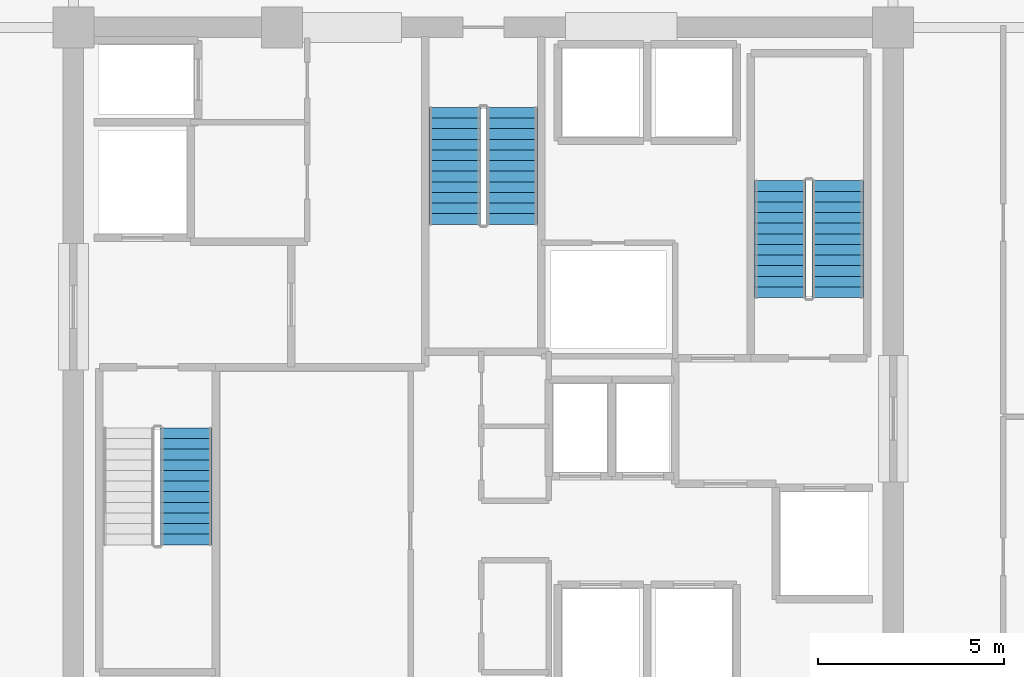
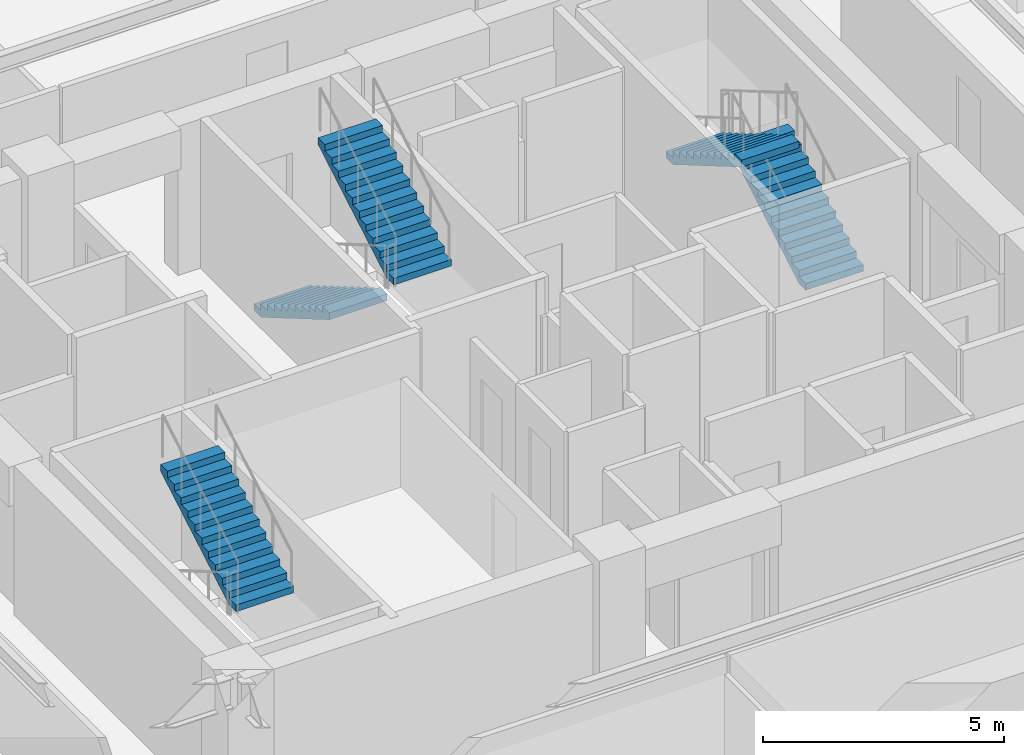
# One storey, part 16 of 21: 5 stair flights, 3 elements without a shape of their own.
"""IFC4 building model written with IfcOpenShell, lengths in metres."""

from ifc_helpers import new_model, si_unit, direction, frame, origin, place, context, subcontext, project, spatial, polyline, outline, extrude, material, type_object, element, aggregate, save


model = new_model("IFC4")

# Units and contexts
model_context = context("Model", 3, precision=1e-05, world=origin(), true_north=direction((0.0, 1.0)))
body_context = subcontext(model_context, "Body", "Model", "MODEL_VIEW")
ifc_project = project(units=[si_unit("LENGTHUNIT", "METRE"), si_unit("AREAUNIT", "SQUARE_METRE"), si_unit("VOLUMEUNIT", "CUBIC_METRE"), si_unit("PLANEANGLEUNIT", "RADIAN"), si_unit("MASSUNIT", "GRAM", prefix="KILO")], contexts=[model_context])

# Site, building, storey
site_placement = place(None, origin())
site = spatial("IfcSite", under=ifc_project, at=site_placement, CompositionType="ELEMENT")
building_placement = place(site_placement, origin())
building = spatial("IfcBuilding", under=site, at=building_placement, Name="Kovane Verandah Tower", CompositionType="ELEMENT")
storey_placement = place(building_placement, frame((0.0, 0.0, 176.39990234375)))
storey = spatial("IfcBuildingStorey", under=building, at=storey_placement, Name="L41", CompositionType="ELEMENT", Elevation=176.39990234375)

# Stair, stair flight
ifc_material = material(Name="Concrete C45/55", Category="concrete")
stair_type = type_object("IfcStairType", Name="ST-CORE-1380", PredefinedType="HALF_TURN_STAIR", material=ifc_material)
stair_1_placement = place(storey_placement, origin())
stair_1 = element("IfcStair", 1, at=stair_1_placement, inside=storey, type_object=stair_type, Name="L41 Exit Stair ST-01", PredefinedType="HALF_TURN_STAIR")
stair_flight_type = type_object("IfcStairFlightType", Name="STF-CORE-1380", PredefinedType="STRAIGHT", material=ifc_material)
stair_flight_1_placement = place(storey_placement, frame((32.030029296875, 22.614990234375, 2.0), z_axis=(0.0, 0.0, 1.0), x_axis=(0.0, 1.0, 0.0)))
stair_flight_1 = element("IfcStairFlight", 2, at=stair_flight_1_placement, type_object=stair_flight_type, Name="ST-01 flight 2", NumberOfRisers=12, NumberOfTreads=11, PredefinedType="STRAIGHT", RiserHeight=0.166666667, TreadLength=0.285, context=body_context, shape_type="SweptSolid", body=[
    extrude(outline(polyline([(0.0, 0.0), (0.0, 0.166748046875), (0.284912109375, 0.166748046875), (0.284912109375, 0.333251953125), (0.570068359375, 0.333251953125), (0.570068359375, 0.5), (0.85498046875, 0.5), (0.85498046875, 0.666748046875), (1.139892578125, 0.666748046875), (1.139892578125, 0.833251953125), (1.425048828125, 0.833251953125), (1.425048828125, 1.0), (1.7099609375, 1.0), (1.7099609375, 1.166748046875), (1.9951171875, 1.166748046875), (1.9951171875, 1.333251953125), (2.280029296875, 1.333251953125), (2.280029296875, 1.5), (2.56494140625, 1.5), (2.56494140625, 1.666748046875), (2.85009765625, 1.666748046875), (2.85009765625, 1.833251953125), (3.135009765625, 1.833251953125), (3.135009765625, 2.0), (3.135009765625, 1.65966796875), (0.296875, 0.0), (0.0, 0.0)])), frame((0.0, 0.68994140625, 0.0), z_axis=(0.0, -1.0, 0.0), x_axis=(1.0, 0.0, 0.0)), (0.0, 0.0, 1.0), 1.3798828125),
])
aggregate(stair_1, [stair_flight_1])

# Stair, stair flights
stair_2_placement = place(storey_placement, origin())
stair_2 = element("IfcStair", 3, at=stair_2_placement, inside=storey, type_object=stair_type, Name="L41 Exit Stair ST-02", PredefinedType="HALF_TURN_STAIR")
stair_flight_2_placement = place(storey_placement, frame((49.510009765625, 29.25, 0.0), z_axis=(0.0, 0.0, 1.0), x_axis=(0.0, 1.0, 0.0)))
stair_flight_2 = element("IfcStairFlight", 4, at=stair_flight_2_placement, type_object=stair_flight_type, Name="ST-02 flight 1", NumberOfRisers=12, NumberOfTreads=11, PredefinedType="STRAIGHT", RiserHeight=0.166666667, TreadLength=0.285, context=body_context, shape_type="SweptSolid", body=[
    extrude(outline(polyline([(0.0, 0.0), (0.0, 0.166748046875), (0.284912109375, 0.166748046875), (0.284912109375, 0.333251953125), (0.570068359375, 0.333251953125), (0.570068359375, 0.5), (0.85498046875, 0.5), (0.85498046875, 0.666748046875), (1.139892578125, 0.666748046875), (1.139892578125, 0.833251953125), (1.425048828125, 0.833251953125), (1.425048828125, 1.0), (1.7099609375, 1.0), (1.7099609375, 1.166748046875), (1.9951171875, 1.166748046875), (1.9951171875, 1.333251953125), (2.280029296875, 1.333251953125), (2.280029296875, 1.5), (2.56494140625, 1.5), (2.56494140625, 1.666748046875), (2.85009765625, 1.666748046875), (2.85009765625, 1.833251953125), (3.135009765625, 1.833251953125), (3.135009765625, 2.0), (3.135009765625, 1.65966796875), (0.296875, 0.0), (0.0, 0.0)])), frame((0.0, 0.68994140625, 0.0), z_axis=(0.0, -1.0, 0.0), x_axis=(1.0, 0.0, 0.0)), (0.0, 0.0, 1.0), 1.3798828125),
])
stair_flight_3_placement = place(storey_placement, frame((47.969970703125, 32.385009765625, 2.0), z_axis=(0.0, 0.0, 1.0), x_axis=(0.0, -1.0, 0.0)))
stair_flight_3 = element("IfcStairFlight", 5, at=stair_flight_3_placement, type_object=stair_flight_type, Name="ST-02 flight 2", NumberOfRisers=12, NumberOfTreads=11, PredefinedType="STRAIGHT", RiserHeight=0.166666667, TreadLength=0.285, context=body_context, shape_type="SweptSolid", body=[
    extrude(outline(polyline([(0.0, 0.0), (0.0, 0.166748046875), (0.284912109375, 0.166748046875), (0.284912109375, 0.333251953125), (0.570068359375, 0.333251953125), (0.570068359375, 0.5), (0.85498046875, 0.5), (0.85498046875, 0.666748046875), (1.139892578125, 0.666748046875), (1.139892578125, 0.833251953125), (1.425048828125, 0.833251953125), (1.425048828125, 1.0), (1.7099609375, 1.0), (1.7099609375, 1.166748046875), (1.9951171875, 1.166748046875), (1.9951171875, 1.333251953125), (2.280029296875, 1.333251953125), (2.280029296875, 1.5), (2.56494140625, 1.5), (2.56494140625, 1.666748046875), (2.85009765625, 1.666748046875), (2.85009765625, 1.833251953125), (3.135009765625, 1.833251953125), (3.135009765625, 2.0), (3.135009765625, 1.65966796875), (0.296875, 0.0), (0.0, 0.0)])), frame((0.0, 0.68994140625, 0.0), z_axis=(0.0, -1.0, 0.0), x_axis=(1.0, 0.0, 0.0)), (0.0, 0.0, 1.0), 1.3798828125),
])
aggregate(stair_2, [stair_flight_2, stair_flight_3])

stair_3_placement = place(storey_placement, origin())
stair_3 = element("IfcStair", 6, at=stair_3_placement, inside=storey, type_object=stair_type, Name="L41 Exit Stair ST-03", PredefinedType="HALF_TURN_STAIR")
stair_flight_4_placement = place(storey_placement, frame((39.22998046875, 34.35009765625, 0.0), z_axis=(0.0, 0.0, 1.0), x_axis=(0.0, -1.0, 0.0)))
stair_flight_4 = element("IfcStairFlight", 7, at=stair_flight_4_placement, type_object=stair_flight_type, Name="ST-03 flight 1", NumberOfRisers=12, NumberOfTreads=11, PredefinedType="STRAIGHT", RiserHeight=0.166666667, TreadLength=0.285, context=body_context, shape_type="SweptSolid", body=[
    extrude(outline(polyline([(0.0, 0.0), (0.0, 0.166748046875), (0.284912109375, 0.166748046875), (0.284912109375, 0.333251953125), (0.570068359375, 0.333251953125), (0.570068359375, 0.5), (0.85498046875, 0.5), (0.85498046875, 0.666748046875), (1.139892578125, 0.666748046875), (1.139892578125, 0.833251953125), (1.425048828125, 0.833251953125), (1.425048828125, 1.0), (1.7099609375, 1.0), (1.7099609375, 1.166748046875), (1.9951171875, 1.166748046875), (1.9951171875, 1.333251953125), (2.280029296875, 1.333251953125), (2.280029296875, 1.5), (2.56494140625, 1.5), (2.56494140625, 1.666748046875), (2.85009765625, 1.666748046875), (2.85009765625, 1.833251953125), (3.135009765625, 1.833251953125), (3.135009765625, 2.0), (3.135009765625, 1.65966796875), (0.296875, 0.0), (0.0, 0.0)])), frame((0.0, 0.68994140625, 0.0), z_axis=(0.0, -1.0, 0.0), x_axis=(1.0, 0.0, 0.0)), (0.0, 0.0, 1.0), 1.3798828125),
])
stair_flight_5_placement = place(storey_placement, frame((40.77001953125, 31.215087890625, 2.0), z_axis=(0.0, 0.0, 1.0), x_axis=(0.0, 1.0, 0.0)))
stair_flight_5 = element("IfcStairFlight", 8, at=stair_flight_5_placement, type_object=stair_flight_type, Name="ST-03 flight 2", NumberOfRisers=12, NumberOfTreads=11, PredefinedType="STRAIGHT", RiserHeight=0.166666667, TreadLength=0.285, context=body_context, shape_type="SweptSolid", body=[
    extrude(outline(polyline([(0.0, 0.0), (0.0, 0.166748046875), (0.284912109375, 0.166748046875), (0.284912109375, 0.333251953125), (0.570068359375, 0.333251953125), (0.570068359375, 0.5), (0.85498046875, 0.5), (0.85498046875, 0.666748046875), (1.139892578125, 0.666748046875), (1.139892578125, 0.833251953125), (1.425048828125, 0.833251953125), (1.425048828125, 1.0), (1.7099609375, 1.0), (1.7099609375, 1.166748046875), (1.9951171875, 1.166748046875), (1.9951171875, 1.333251953125), (2.280029296875, 1.333251953125), (2.280029296875, 1.5), (2.56494140625, 1.5), (2.56494140625, 1.666748046875), (2.85009765625, 1.666748046875), (2.85009765625, 1.833251953125), (3.135009765625, 1.833251953125), (3.135009765625, 2.0), (3.135009765625, 1.65966796875), (0.296875, 0.0), (0.0, 0.0)])), frame((0.0, 0.68994140625, 0.0), z_axis=(0.0, -1.0, 0.0), x_axis=(1.0, 0.0, 0.0)), (0.0, 0.0, 1.0), 1.3798828125),
])
aggregate(stair_3, [stair_flight_4, stair_flight_5])

save(model, "model.ifc")
